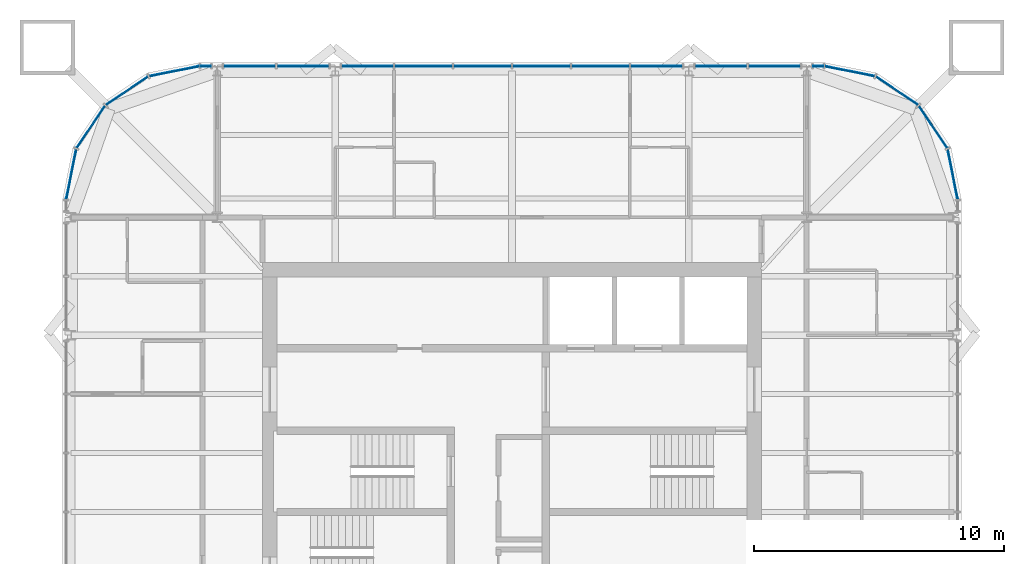
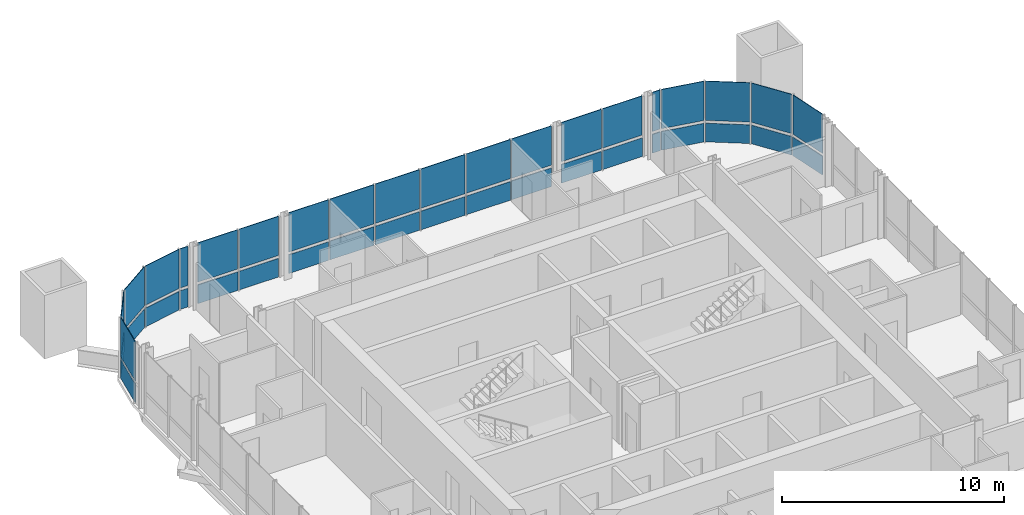
# One storey, part 12 of 17: 40 plates, 7 elements without a shape of their own.
"""IFC4 building model written with IfcOpenShell, lengths in metres."""

import ifcopenshell
import ifcopenshell.guid

model = None  # the IFC model being written
_history = None  # IfcOwnerHistory: only IFC2X3 demands one
_inside = {}  # id of a spatial element -> (the spatial element, [elements in it])
_under = {}  # id of a project, library or spatial element -> (it, [spatial elements below it])
_declared = {}  # id of a project -> (the project, [libraries it declares])
_typed = {}  # id of a type object -> (the type object, [elements of that type])
_made_of = {}  # id of a material, layer set ... -> (it, [elements and type objects made of it])


def new_model(schema):
    """Start an empty IFC model of exactly this schema.

    Asked for "IFC4X3", IfcOpenShell would pick the latest addendum, in which some entities
    have other attributes; the version numbers below select the first issue.
    IFC2X3 requires an IfcOwnerHistory on every rooted entity: one is made here for all.
    """
    global model, _history
    if schema == "IFC4X3":
        model = ifcopenshell.file(schema_version=(4, 3, 0, 0))
    else:
        model = ifcopenshell.file(schema=schema)
    _inside.clear()
    _under.clear()
    _declared.clear()
    _typed.clear()
    _made_of.clear()
    _history = None
    if model.schema == "IFC2X3":
        org = make("IfcOrganization", Name="unknown")
        user = make(
            "IfcPersonAndOrganization",
            ThePerson=make("IfcPerson", FamilyName="unknown"),
            TheOrganization=org,
        )
        app = make(
            "IfcApplication",
            ApplicationDeveloper=org,
            Version="unknown",
            ApplicationFullName="unknown",
            ApplicationIdentifier="unknown",
        )
        _history = make(
            "IfcOwnerHistory",
            OwningUser=user,
            OwningApplication=app,
            ChangeAction="ADDED",
            CreationDate=0,
        )
    return model


def make(cls, **values):
    """One entity of the class cls with the attributes given. An attribute that is None is left unset."""
    return model.create_entity(
        cls, **{name: value for name, value in values.items() if value is not None}
    )


def rooted(cls, **values):
    """An entity with a GlobalId (a new one), such as an element, a storey or a relation."""
    return make(cls, GlobalId=ifcopenshell.guid.new(), OwnerHistory=_history, **values)


def si_unit(unit_type, name, prefix=None):
    """IfcSIUnit, for example si_unit("LENGTHUNIT", "METRE", prefix="MILLI")."""
    return make("IfcSIUnit", UnitType=unit_type, Prefix=prefix, Name=name)


def assignment(units):
    """IfcUnitAssignment: the units of a project."""
    return None if units is None else make("IfcUnitAssignment", Units=units)


def point(xyz):
    """IfcCartesianPoint."""
    return None if xyz is None else make("IfcCartesianPoint", Coordinates=xyz)


def direction(xyz):
    """IfcDirection."""
    return None if xyz is None else make("IfcDirection", DirectionRatios=xyz)


def frame(location, z_axis=None, x_axis=None):
    """IfcAxis2Placement3D, a coordinate frame: its origin and axes. An axis left out is left unset."""
    return make(
        "IfcAxis2Placement3D",
        Location=point(location),
        Axis=direction(z_axis),
        RefDirection=direction(x_axis),
    )


def frame_2d(location, x_axis=None):
    """IfcAxis2Placement2D, a coordinate frame in the plane: its origin and x axis."""
    return make(
        "IfcAxis2Placement2D", Location=point(location), RefDirection=direction(x_axis)
    )


def origin():
    """The frame at (0, 0, 0) with its axes left unset."""
    return frame((0.0, 0.0, 0.0))


def origin_2d():
    """The frame at (0, 0) in the plane with its x axis left unset."""
    return frame_2d((0.0, 0.0))


def place(relative_to, where):
    """IfcLocalPlacement: puts the frame where relative to a parent placement (None: the world)."""
    return make(
        "IfcLocalPlacement", PlacementRelTo=relative_to, RelativePlacement=where
    )


def context(
    kind, dimensions, precision=None, world=None, true_north=None, identifier=None
):
    """IfcGeometricRepresentationContext, for example the 3D "Model" context."""
    return make(
        "IfcGeometricRepresentationContext",
        ContextIdentifier=identifier,
        ContextType=kind,
        CoordinateSpaceDimension=dimensions,
        Precision=precision,
        WorldCoordinateSystem=world,
        TrueNorth=true_north,
    )


def subcontext(parent, identifier, kind, view, scale=None):
    """IfcGeometricRepresentationSubContext, for example "Body" below "Model"."""
    return make(
        "IfcGeometricRepresentationSubContext",
        ContextIdentifier=identifier,
        ContextType=kind,
        ParentContext=parent,
        TargetScale=scale,
        TargetView=view,
    )


def project(units=None, contexts=None):
    """IfcProject with its units and contexts."""
    return rooted(
        "IfcProject",
        Name="project",
        RepresentationContexts=contexts,
        UnitsInContext=assignment(units),
    )


def spatial(cls, under=None, at=None, **own):
    """A site, building, storey or space (cls), placed at a placement, below another one or the project."""
    s = rooted(cls, ObjectPlacement=at, **own)
    if under is not None:
        _under.setdefault(under.id(), (under, []))[1].append(s)
    return s


def profile(cls, at=None, kind="AREA", **sizes):
    """A parametric profile (cls). Its sizes go by their IFC names, for example OverallWidth=200.0."""
    return make(cls, ProfileType=kind, Position=at, **sizes)


def rectangle(**sizes):
    """IfcRectangleProfileDef."""
    return profile("IfcRectangleProfileDef", **sizes)


def extrude(swept, where, along, depth):
    """IfcExtrudedAreaSolid: the profile swept, set in the frame where, extruded along a direction by depth."""
    return make(
        "IfcExtrudedAreaSolid",
        SweptArea=swept,
        Position=where,
        ExtrudedDirection=direction(along),
        Depth=depth,
    )


def shape(context_of_items, identifier, shape_type, items):
    """IfcShapeRepresentation: the items that make up one representation, for example the "Body"."""
    return make(
        "IfcShapeRepresentation",
        ContextOfItems=context_of_items,
        RepresentationIdentifier=identifier,
        RepresentationType=shape_type,
        Items=items,
    )


def material(Name=None, Category=None):
    """IfcMaterial."""
    return make("IfcMaterial", Name=Name, Category=Category)


def layer(
    of_material, thickness, ventilated=None, Name=None, Category=None, Priority=None
):
    """IfcMaterialLayer: one layer of a wall or slab, of a material (None: an air gap)."""
    return make(
        "IfcMaterialLayer",
        Material=of_material,
        LayerThickness=thickness,
        IsVentilated=ventilated,
        Name=Name,
        Category=Category,
        Priority=Priority,
    )


def layer_set(layers, Name=None):
    """IfcMaterialLayerSet."""
    return make("IfcMaterialLayerSet", MaterialLayers=layers, LayerSetName=Name)


def made_of(thing, what):
    """Note that an element or type object is made of a material, layer set ...; save() writes the relation."""
    if what is not None:
        _made_of.setdefault(what.id(), (what, []))[1].append(thing)
    return thing


def type_object(cls, material=None, **own):
    """A type object (cls), such as IfcWallType, which elements share."""
    return made_of(rooted(cls, **own), material)


def element(
    cls,
    number,
    at=None,
    inside=None,
    cuts=None,
    type_object=None,
    material=None,
    context=None,
    identifier="Body",
    shape_type=None,
    held_by="IfcProductDefinitionShape",
    body=None,
    shapes=None,
    **own,
):
    """One element of the class cls, such as IfcWall. Its Tag is "e" and its number.

    at: its placement. inside: the storey or other place that contains it. cuts: it is an
    opening in that element (IfcRelVoidsElement). A single representation is given by context,
    identifier, shape_type and body (its items); several are given by shapes. held_by: the class
    of the entity that holds the representations. save() writes the other relations.
    """
    e = rooted(cls, Tag="e%d" % number, ObjectPlacement=at, **own)
    if body is not None:
        shapes = [shape(context, identifier, shape_type, body)]
    if shapes is not None:
        e.Representation = make(held_by, Representations=shapes)
    if inside is not None:
        _inside.setdefault(inside.id(), (inside, []))[1].append(e)
    if cuts is not None:
        rooted(
            "IfcRelVoidsElement", RelatingBuildingElement=cuts, RelatedOpeningElement=e
        )
    if type_object is not None:
        _typed.setdefault(type_object.id(), (type_object, []))[1].append(e)
    return made_of(e, material)


def aggregate(whole, parts):
    """IfcRelAggregates: a whole, such as a stair, and the parts it consists of."""
    return rooted("IfcRelAggregates", RelatingObject=whole, RelatedObjects=parts)


def save(model, path):
    """Write the relations noted so far, then the file.

    IfcRelAggregates (storeys below a building ...), IfcRelContainedInSpatialStructure (elements
    in a storey), IfcRelDefinesByType, IfcRelAssociatesMaterial and IfcRelDeclares: one each for
    every whole, place, type object, material and project.
    """
    for whole, parts in _under.values():
        aggregate(whole, parts)
    for where, things in _inside.values():
        rooted(
            "IfcRelContainedInSpatialStructure",
            RelatedElements=things,
            RelatingStructure=where,
        )
    for kind, things in _typed.values():
        rooted("IfcRelDefinesByType", RelatedObjects=things, RelatingType=kind)
    for what, things in _made_of.values():
        rooted("IfcRelAssociatesMaterial", RelatedObjects=things, RelatingMaterial=what)
    for by, libraries in _declared.values():
        rooted("IfcRelDeclares", RelatingContext=by, RelatedDefinitions=libraries)
    model.write(path)


model = new_model("IFC4")

# Units and contexts
model_context = context("Model", 3, precision=1e-05, world=origin(), true_north=direction((0.0, 1.0)))
body_context = subcontext(model_context, "Body", "Model", "MODEL_VIEW")
ifc_project = project(units=[si_unit("LENGTHUNIT", "METRE"), si_unit("AREAUNIT", "SQUARE_METRE"), si_unit("VOLUMEUNIT", "CUBIC_METRE"), si_unit("PLANEANGLEUNIT", "RADIAN"), si_unit("MASSUNIT", "GRAM", prefix="KILO")], contexts=[model_context])

# Site, building, storey
site_placement = place(None, origin())
site = spatial("IfcSite", under=ifc_project, at=site_placement, CompositionType="ELEMENT")
building_placement = place(site_placement, origin())
building = spatial("IfcBuilding", under=site, at=building_placement, Name="Turquesa Mirador Hotel Tower", CompositionType="ELEMENT")
storey_placement = place(building_placement, frame((0.0, 0.0, 240.699951171875)))
storey = spatial("IfcBuildingStorey", under=building, at=storey_placement, Name="L65", CompositionType="ELEMENT", Elevation=240.699951171875)

# Curtain wall, plates
ifc_material_1 = material(Name="Aluminium extrusion", Category="aluminium")
curtain_wall_type = type_object("IfcCurtainWallType", Name="CW-4 SUITE FRITTED CURTAIN WALL", PredefinedType="USERDEFINED", material=ifc_material_1)
curtain_wall_1_placement = place(storey_placement, origin())
curtain_wall_1 = element("IfcCurtainWall", 1, at=curtain_wall_1_placement, inside=storey, type_object=curtain_wall_type, Name="CW-4 SUITE FRITTED CURTAIN WALL L65", ObjectType="CURTAIN WALL", PredefinedType="USERDEFINED")
ifc_material_2 = material(Name="Ceramic-printed spandrel glass on an insulated back pan", Category="glass")
ifc_layer_1 = layer(ifc_material_2, 0.050048828125)
ifc_layer_set_1 = layer_set([ifc_layer_1], Name="CW PANEL SPANDREL CERAMIC")
plate_type_1 = type_object("IfcPlateType", Name="CW PANEL SPANDREL CERAMIC", PredefinedType="CURTAIN_PANEL", material=ifc_layer_set_1)
plate_1_placement = place(storey_placement, frame((72.646484375, 58.523681640625, 0.0), z_axis=(0.0, 0.0, 1.0), x_axis=(-0.195090585221, 0.980785228048, 0.0)))
plate_1 = element("IfcPlate", 2, at=plate_1_placement, type_object=plate_type_1, Name="Panel", PredefinedType="CURTAIN_PANEL", context=body_context, shape_type="SweptSolid", body=[
    extrude(rectangle(XDim=2.0224609375, YDim=0.050048828125, at=origin_2d()), origin(), (0.0, 0.0, 1.0), 1.02490234375),
])
plate_2_placement = place(storey_placement, frame((71.86279296875, 60.415283203125, 0.0), z_axis=(0.0, 0.0, 1.0), x_axis=(-0.555570141754, 0.831469673284, 0.0)))
plate_2 = element("IfcPlate", 3, at=plate_2_placement, type_object=plate_type_1, Name="Panel", PredefinedType="CURTAIN_PANEL", context=body_context, shape_type="SweptSolid", body=[
    extrude(rectangle(XDim=2.0224609375, YDim=0.050048828125, at=origin_2d()), origin(), (0.0, 0.0, 1.0), 1.02490234375),
])
plate_3_placement = place(storey_placement, frame((70.415283203125, 61.86279296875, 0.0), z_axis=(0.0, 0.0, 1.0), x_axis=(-0.831469673284, 0.555570141754, 0.0)))
plate_3 = element("IfcPlate", 4, at=plate_3_placement, type_object=plate_type_1, Name="Panel", PredefinedType="CURTAIN_PANEL", context=body_context, shape_type="SweptSolid", body=[
    extrude(rectangle(XDim=2.0224609375, YDim=0.050048828125, at=origin_2d()), origin(), (0.0, 0.0, 1.0), 1.02490234375),
])
plate_4_placement = place(storey_placement, frame((68.523681640625, 62.646484375, 0.0), z_axis=(0.0, 0.0, 1.0), x_axis=(-0.980785228048, 0.195090585221, 0.0)))
plate_4 = element("IfcPlate", 5, at=plate_4_placement, type_object=plate_type_1, Name="Panel", PredefinedType="CURTAIN_PANEL", context=body_context, shape_type="SweptSolid", body=[
    extrude(rectangle(XDim=2.0224609375, YDim=0.050048828125, at=origin_2d()), origin(), (0.0, 0.0, 1.0), 1.02490234375),
])

# Curtain wall, plate
curtain_wall_2_placement = place(storey_placement, origin())
curtain_wall_2 = element("IfcCurtainWall", 6, at=curtain_wall_2_placement, inside=storey, type_object=curtain_wall_type, Name="CW-4 SUITE FRITTED CURTAIN WALL L65", ObjectType="CURTAIN WALL", PredefinedType="USERDEFINED")
plate_5_placement = place(storey_placement, frame((67.266845703125, 62.85009765625, 0.0), z_axis=(0.0, 0.0, 1.0), x_axis=(-1.0, 0.0, 0.0)))
plate_5 = element("IfcPlate", 7, at=plate_5_placement, type_object=plate_type_1, Name="Panel", PredefinedType="CURTAIN_PANEL", context=body_context, shape_type="SweptSolid", body=[
    extrude(rectangle(XDim=0.401123046875, YDim=0.050048828125, at=origin_2d()), origin(), (0.0, 0.0, 1.0), 1.02490234375),
])

# Curtain wall, plates
curtain_wall_3_placement = place(storey_placement, origin())
curtain_wall_3 = element("IfcCurtainWall", 8, at=curtain_wall_3_placement, inside=storey, type_object=curtain_wall_type, Name="CW-4 SUITE FRITTED CURTAIN WALL L65", ObjectType="CURTAIN WALL", PredefinedType="USERDEFINED")
plate_6_placement = place(storey_placement, frame((65.503173828125, 62.85009765625, 0.0), z_axis=(0.0, 0.0, 1.0), x_axis=(-1.0, 0.0, 0.0)))
plate_6 = element("IfcPlate", 9, at=plate_6_placement, type_object=plate_type_1, Name="Panel", PredefinedType="CURTAIN_PANEL", context=body_context, shape_type="SweptSolid", body=[
    extrude(rectangle(XDim=2.06103515625, YDim=0.050048828125, at=origin_2d()), origin(), (0.0, 0.0, 1.0), 1.02490234375),
])
plate_7_placement = place(storey_placement, frame((63.376953125, 62.85009765625, 0.0), z_axis=(0.0, 0.0, 1.0), x_axis=(-1.0, 0.0, 0.0)))
plate_7 = element("IfcPlate", 10, at=plate_7_placement, type_object=plate_type_1, Name="Panel", PredefinedType="CURTAIN_PANEL", context=body_context, shape_type="SweptSolid", body=[
    extrude(rectangle(XDim=2.06103515625, YDim=0.050048828125, at=origin_2d()), origin(), (0.0, 0.0, 1.0), 1.02490234375),
])

curtain_wall_4_placement = place(storey_placement, origin())
curtain_wall_4 = element("IfcCurtainWall", 11, at=curtain_wall_4_placement, inside=storey, type_object=curtain_wall_type, Name="CW-4 SUITE FRITTED CURTAIN WALL L65", ObjectType="CURTAIN WALL", PredefinedType="USERDEFINED")
plate_8_placement = place(storey_placement, frame((60.782958984375, 62.85009765625, 0.0), z_axis=(0.0, 0.0, 1.0), x_axis=(-1.0, 0.0, 0.0)))
plate_8 = element("IfcPlate", 12, at=plate_8_placement, type_object=plate_type_1, Name="Panel", PredefinedType="CURTAIN_PANEL", context=body_context, shape_type="SweptSolid", body=[
    extrude(rectangle(XDim=2.06103515625, YDim=0.050048828125, at=origin_2d()), origin(), (0.0, 0.0, 1.0), 1.02490234375),
])
plate_9_placement = place(storey_placement, frame((58.5400390625, 62.85009765625, 0.0), z_axis=(0.0, 0.0, 1.0), x_axis=(-1.0, 0.0, 0.0)))
plate_9 = element("IfcPlate", 13, at=plate_9_placement, type_object=plate_type_1, Name="Panel", PredefinedType="CURTAIN_PANEL", context=body_context, shape_type="SweptSolid", body=[
    extrude(rectangle(XDim=2.294921875, YDim=0.050048828125, at=origin_2d()), origin(), (0.0, 0.0, 1.0), 1.02490234375),
])
plate_10_placement = place(storey_placement, frame((56.179931640625, 62.85009765625, 0.0), z_axis=(0.0, 0.0, 1.0), x_axis=(-1.0, 0.0, 0.0)))
plate_10 = element("IfcPlate", 14, at=plate_10_placement, type_object=plate_type_1, Name="Panel", PredefinedType="CURTAIN_PANEL", context=body_context, shape_type="SweptSolid", body=[
    extrude(rectangle(XDim=2.294921875, YDim=0.050048828125, at=origin_2d()), origin(), (0.0, 0.0, 1.0), 1.02490234375),
])
plate_11_placement = place(storey_placement, frame((53.820068359375, 62.85009765625, 0.0), z_axis=(0.0, 0.0, 1.0), x_axis=(-1.0, 0.0, 0.0)))
plate_11 = element("IfcPlate", 15, at=plate_11_placement, type_object=plate_type_1, Name="Panel", PredefinedType="CURTAIN_PANEL", context=body_context, shape_type="SweptSolid", body=[
    extrude(rectangle(XDim=2.294921875, YDim=0.050048828125, at=origin_2d()), origin(), (0.0, 0.0, 1.0), 1.02490234375),
])
plate_12_placement = place(storey_placement, frame((51.4599609375, 62.85009765625, 0.0), z_axis=(0.0, 0.0, 1.0), x_axis=(-1.0, 0.0, 0.0)))
plate_12 = element("IfcPlate", 16, at=plate_12_placement, type_object=plate_type_1, Name="Panel", PredefinedType="CURTAIN_PANEL", context=body_context, shape_type="SweptSolid", body=[
    extrude(rectangle(XDim=2.294921875, YDim=0.050048828125, at=origin_2d()), origin(), (0.0, 0.0, 1.0), 1.02490234375),
])
plate_13_placement = place(storey_placement, frame((49.217041015625, 62.85009765625, 0.0), z_axis=(0.0, 0.0, 1.0), x_axis=(-1.0, 0.0, 0.0)))
plate_13 = element("IfcPlate", 17, at=plate_13_placement, type_object=plate_type_1, Name="Panel", PredefinedType="CURTAIN_PANEL", context=body_context, shape_type="SweptSolid", body=[
    extrude(rectangle(XDim=2.06103515625, YDim=0.050048828125, at=origin_2d()), origin(), (0.0, 0.0, 1.0), 1.02490234375),
])

curtain_wall_5_placement = place(storey_placement, origin())
curtain_wall_5 = element("IfcCurtainWall", 18, at=curtain_wall_5_placement, inside=storey, type_object=curtain_wall_type, Name="CW-4 SUITE FRITTED CURTAIN WALL L65", ObjectType="CURTAIN WALL", PredefinedType="USERDEFINED")
plate_14_placement = place(storey_placement, frame((46.623046875, 62.85009765625, 0.0), z_axis=(0.0, 0.0, 1.0), x_axis=(-1.0, 0.0, 0.0)))
plate_14 = element("IfcPlate", 19, at=plate_14_placement, type_object=plate_type_1, Name="Panel", PredefinedType="CURTAIN_PANEL", context=body_context, shape_type="SweptSolid", body=[
    extrude(rectangle(XDim=2.06103515625, YDim=0.050048828125, at=origin_2d()), origin(), (0.0, 0.0, 1.0), 1.02490234375),
])
plate_15_placement = place(storey_placement, frame((44.496826171875, 62.85009765625, 0.0), z_axis=(0.0, 0.0, 1.0), x_axis=(-1.0, 0.0, 0.0)))
plate_15 = element("IfcPlate", 20, at=plate_15_placement, type_object=plate_type_1, Name="Panel", PredefinedType="CURTAIN_PANEL", context=body_context, shape_type="SweptSolid", body=[
    extrude(rectangle(XDim=2.06103515625, YDim=0.050048828125, at=origin_2d()), origin(), (0.0, 0.0, 1.0), 1.02490234375),
])

# Curtain wall, plate
curtain_wall_6_placement = place(storey_placement, origin())
curtain_wall_6 = element("IfcCurtainWall", 21, at=curtain_wall_6_placement, inside=storey, type_object=curtain_wall_type, Name="CW-4 SUITE FRITTED CURTAIN WALL L65", ObjectType="CURTAIN WALL", PredefinedType="USERDEFINED")
plate_16_placement = place(storey_placement, frame((42.733154296875, 62.85009765625, 0.0), z_axis=(0.0, 0.0, 1.0), x_axis=(-1.0, 0.0, 0.0)))
plate_16 = element("IfcPlate", 22, at=plate_16_placement, type_object=plate_type_1, Name="Panel", PredefinedType="CURTAIN_PANEL", context=body_context, shape_type="SweptSolid", body=[
    extrude(rectangle(XDim=0.401123046875, YDim=0.050048828125, at=origin_2d()), origin(), (0.0, 0.0, 1.0), 1.02490234375),
])

# Curtain wall, plates
curtain_wall_7_placement = place(storey_placement, origin())
curtain_wall_7 = element("IfcCurtainWall", 23, at=curtain_wall_7_placement, inside=storey, type_object=curtain_wall_type, Name="CW-4 SUITE FRITTED CURTAIN WALL L65", ObjectType="CURTAIN WALL", PredefinedType="USERDEFINED")
plate_17_placement = place(storey_placement, frame((41.476318359375, 62.646484375, 0.0), z_axis=(0.0, 0.0, 1.0), x_axis=(-0.980785228048, -0.195090585221, 0.0)))
plate_17 = element("IfcPlate", 24, at=plate_17_placement, type_object=plate_type_1, Name="Panel", PredefinedType="CURTAIN_PANEL", context=body_context, shape_type="SweptSolid", body=[
    extrude(rectangle(XDim=2.0224609375, YDim=0.050048828125, at=origin_2d()), origin(), (0.0, 0.0, 1.0), 1.02490234375),
])
plate_18_placement = place(storey_placement, frame((39.584716796875, 61.86279296875, 0.0), z_axis=(0.0, 0.0, 1.0), x_axis=(-0.831469673284, -0.555570141754, 0.0)))
plate_18 = element("IfcPlate", 25, at=plate_18_placement, type_object=plate_type_1, Name="Panel", PredefinedType="CURTAIN_PANEL", context=body_context, shape_type="SweptSolid", body=[
    extrude(rectangle(XDim=2.0224609375, YDim=0.050048828125, at=origin_2d()), origin(), (0.0, 0.0, 1.0), 1.02490234375),
])
plate_19_placement = place(storey_placement, frame((38.13720703125, 60.415283203125, 0.0), z_axis=(0.0, 0.0, 1.0), x_axis=(-0.555570141754, -0.831469673284, 0.0)))
plate_19 = element("IfcPlate", 26, at=plate_19_placement, type_object=plate_type_1, Name="Panel", PredefinedType="CURTAIN_PANEL", context=body_context, shape_type="SweptSolid", body=[
    extrude(rectangle(XDim=2.0224609375, YDim=0.050048828125, at=origin_2d()), origin(), (0.0, 0.0, 1.0), 1.02490234375),
])
plate_20_placement = place(storey_placement, frame((37.353515625, 58.523681640625, 0.0), z_axis=(0.0, 0.0, 1.0), x_axis=(-0.195090585221, -0.980785228048, 0.0)))
plate_20 = element("IfcPlate", 27, at=plate_20_placement, type_object=plate_type_1, Name="Panel", PredefinedType="CURTAIN_PANEL", context=body_context, shape_type="SweptSolid", body=[
    extrude(rectangle(XDim=2.0224609375, YDim=0.050048828125, at=origin_2d()), origin(), (0.0, 0.0, 1.0), 1.02490234375),
])

# Plate
ifc_material_3 = material(Name="Ceramic-fritted laminated glass", Category="glass")
ifc_layer_2 = layer(ifc_material_3, 0.031982421875)
ifc_layer_set_2 = layer_set([ifc_layer_2], Name="CW PANEL VISION FRITTED")
plate_type_2 = type_object("IfcPlateType", Name="CW PANEL VISION FRITTED", PredefinedType="CURTAIN_PANEL", material=ifc_layer_set_2)
plate_21_placement = place(storey_placement, frame((72.646484375, 58.523681640625, 1.1748046875), z_axis=(0.0, 0.0, 1.0), x_axis=(-0.195090585221, 0.980785228048, 0.0)))
plate_21 = element("IfcPlate", 28, at=plate_21_placement, type_object=plate_type_2, Name="Panel", PredefinedType="CURTAIN_PANEL", context=body_context, shape_type="SweptSolid", body=[
    extrude(rectangle(XDim=2.0224609375, YDim=0.031982421875, at=origin_2d()), origin(), (0.0, 0.0, 1.0), 2.155029296875),
])

plate_22_placement = place(storey_placement, frame((71.86279296875, 60.415283203125, 1.1748046875), z_axis=(0.0, 0.0, 1.0), x_axis=(-0.555570141754, 0.831469673284, 0.0)))
plate_22 = element("IfcPlate", 29, at=plate_22_placement, type_object=plate_type_2, Name="Panel", PredefinedType="CURTAIN_PANEL", context=body_context, shape_type="SweptSolid", body=[
    extrude(rectangle(XDim=2.0224609375, YDim=0.031982421875, at=origin_2d()), origin(), (0.0, 0.0, 1.0), 2.155029296875),
])

plate_23_placement = place(storey_placement, frame((70.415283203125, 61.86279296875, 1.1748046875), z_axis=(0.0, 0.0, 1.0), x_axis=(-0.831469673284, 0.555570141754, 0.0)))
plate_23 = element("IfcPlate", 30, at=plate_23_placement, type_object=plate_type_2, Name="Panel", PredefinedType="CURTAIN_PANEL", context=body_context, shape_type="SweptSolid", body=[
    extrude(rectangle(XDim=2.0224609375, YDim=0.031982421875, at=origin_2d()), origin(), (0.0, 0.0, 1.0), 2.155029296875),
])

plate_24_placement = place(storey_placement, frame((68.523681640625, 62.646484375, 1.1748046875), z_axis=(0.0, 0.0, 1.0), x_axis=(-0.980785228048, 0.195090585221, 0.0)))
plate_24 = element("IfcPlate", 31, at=plate_24_placement, type_object=plate_type_2, Name="Panel", PredefinedType="CURTAIN_PANEL", context=body_context, shape_type="SweptSolid", body=[
    extrude(rectangle(XDim=2.0224609375, YDim=0.031982421875, at=origin_2d()), origin(), (0.0, 0.0, 1.0), 2.155029296875),
])

aggregate(curtain_wall_1, [plate_1, plate_21, plate_2, plate_22, plate_3, plate_23, plate_4, plate_24])

plate_25_placement = place(storey_placement, frame((67.266845703125, 62.85009765625, 1.1748046875), z_axis=(0.0, 0.0, 1.0), x_axis=(-1.0, 0.0, 0.0)))
plate_25 = element("IfcPlate", 32, at=plate_25_placement, type_object=plate_type_2, Name="Panel", PredefinedType="CURTAIN_PANEL", context=body_context, shape_type="SweptSolid", body=[
    extrude(rectangle(XDim=0.401123046875, YDim=0.031982421875, at=origin_2d()), origin(), (0.0, 0.0, 1.0), 2.155029296875),
])

aggregate(curtain_wall_2, [plate_5, plate_25])

plate_26_placement = place(storey_placement, frame((65.503173828125, 62.85009765625, 1.1748046875), z_axis=(0.0, 0.0, 1.0), x_axis=(-1.0, 0.0, 0.0)))
plate_26 = element("IfcPlate", 33, at=plate_26_placement, type_object=plate_type_2, Name="Panel", PredefinedType="CURTAIN_PANEL", context=body_context, shape_type="SweptSolid", body=[
    extrude(rectangle(XDim=2.06103515625, YDim=0.031982421875, at=origin_2d()), origin(), (0.0, 0.0, 1.0), 2.155029296875),
])

plate_27_placement = place(storey_placement, frame((63.376953125, 62.85009765625, 1.1748046875), z_axis=(0.0, 0.0, 1.0), x_axis=(-1.0, 0.0, 0.0)))
plate_27 = element("IfcPlate", 34, at=plate_27_placement, type_object=plate_type_2, Name="Panel", PredefinedType="CURTAIN_PANEL", context=body_context, shape_type="SweptSolid", body=[
    extrude(rectangle(XDim=2.06103515625, YDim=0.031982421875, at=origin_2d()), origin(), (0.0, 0.0, 1.0), 2.155029296875),
])

aggregate(curtain_wall_3, [plate_6, plate_26, plate_7, plate_27])

plate_28_placement = place(storey_placement, frame((60.782958984375, 62.85009765625, 1.1748046875), z_axis=(0.0, 0.0, 1.0), x_axis=(-1.0, 0.0, 0.0)))
plate_28 = element("IfcPlate", 35, at=plate_28_placement, type_object=plate_type_2, Name="Panel", PredefinedType="CURTAIN_PANEL", context=body_context, shape_type="SweptSolid", body=[
    extrude(rectangle(XDim=2.06103515625, YDim=0.031982421875, at=origin_2d()), origin(), (0.0, 0.0, 1.0), 2.155029296875),
])

plate_29_placement = place(storey_placement, frame((58.5400390625, 62.85009765625, 1.1748046875), z_axis=(0.0, 0.0, 1.0), x_axis=(-1.0, 0.0, 0.0)))
plate_29 = element("IfcPlate", 36, at=plate_29_placement, type_object=plate_type_2, Name="Panel", PredefinedType="CURTAIN_PANEL", context=body_context, shape_type="SweptSolid", body=[
    extrude(rectangle(XDim=2.294921875, YDim=0.031982421875, at=origin_2d()), origin(), (0.0, 0.0, 1.0), 2.155029296875),
])

plate_30_placement = place(storey_placement, frame((56.179931640625, 62.85009765625, 1.1748046875), z_axis=(0.0, 0.0, 1.0), x_axis=(-1.0, 0.0, 0.0)))
plate_30 = element("IfcPlate", 37, at=plate_30_placement, type_object=plate_type_2, Name="Panel", PredefinedType="CURTAIN_PANEL", context=body_context, shape_type="SweptSolid", body=[
    extrude(rectangle(XDim=2.294921875, YDim=0.031982421875, at=origin_2d()), origin(), (0.0, 0.0, 1.0), 2.155029296875),
])

plate_31_placement = place(storey_placement, frame((53.820068359375, 62.85009765625, 1.1748046875), z_axis=(0.0, 0.0, 1.0), x_axis=(-1.0, 0.0, 0.0)))
plate_31 = element("IfcPlate", 38, at=plate_31_placement, type_object=plate_type_2, Name="Panel", PredefinedType="CURTAIN_PANEL", context=body_context, shape_type="SweptSolid", body=[
    extrude(rectangle(XDim=2.294921875, YDim=0.031982421875, at=origin_2d()), origin(), (0.0, 0.0, 1.0), 2.155029296875),
])

plate_32_placement = place(storey_placement, frame((51.4599609375, 62.85009765625, 1.1748046875), z_axis=(0.0, 0.0, 1.0), x_axis=(-1.0, 0.0, 0.0)))
plate_32 = element("IfcPlate", 39, at=plate_32_placement, type_object=plate_type_2, Name="Panel", PredefinedType="CURTAIN_PANEL", context=body_context, shape_type="SweptSolid", body=[
    extrude(rectangle(XDim=2.294921875, YDim=0.031982421875, at=origin_2d()), origin(), (0.0, 0.0, 1.0), 2.155029296875),
])

plate_33_placement = place(storey_placement, frame((49.217041015625, 62.85009765625, 1.1748046875), z_axis=(0.0, 0.0, 1.0), x_axis=(-1.0, 0.0, 0.0)))
plate_33 = element("IfcPlate", 40, at=plate_33_placement, type_object=plate_type_2, Name="Panel", PredefinedType="CURTAIN_PANEL", context=body_context, shape_type="SweptSolid", body=[
    extrude(rectangle(XDim=2.06103515625, YDim=0.031982421875, at=origin_2d()), origin(), (0.0, 0.0, 1.0), 2.155029296875),
])

aggregate(curtain_wall_4, [plate_8, plate_28, plate_9, plate_29, plate_10, plate_30, plate_11, plate_31, plate_12, plate_32, plate_13, plate_33])

plate_34_placement = place(storey_placement, frame((46.623046875, 62.85009765625, 1.1748046875), z_axis=(0.0, 0.0, 1.0), x_axis=(-1.0, 0.0, 0.0)))
plate_34 = element("IfcPlate", 41, at=plate_34_placement, type_object=plate_type_2, Name="Panel", PredefinedType="CURTAIN_PANEL", context=body_context, shape_type="SweptSolid", body=[
    extrude(rectangle(XDim=2.06103515625, YDim=0.031982421875, at=origin_2d()), origin(), (0.0, 0.0, 1.0), 2.155029296875),
])

plate_35_placement = place(storey_placement, frame((44.496826171875, 62.85009765625, 1.1748046875), z_axis=(0.0, 0.0, 1.0), x_axis=(-1.0, 0.0, 0.0)))
plate_35 = element("IfcPlate", 42, at=plate_35_placement, type_object=plate_type_2, Name="Panel", PredefinedType="CURTAIN_PANEL", context=body_context, shape_type="SweptSolid", body=[
    extrude(rectangle(XDim=2.06103515625, YDim=0.031982421875, at=origin_2d()), origin(), (0.0, 0.0, 1.0), 2.155029296875),
])

aggregate(curtain_wall_5, [plate_14, plate_34, plate_15, plate_35])

plate_36_placement = place(storey_placement, frame((42.733154296875, 62.85009765625, 1.1748046875), z_axis=(0.0, 0.0, 1.0), x_axis=(-1.0, 0.0, 0.0)))
plate_36 = element("IfcPlate", 43, at=plate_36_placement, type_object=plate_type_2, Name="Panel", PredefinedType="CURTAIN_PANEL", context=body_context, shape_type="SweptSolid", body=[
    extrude(rectangle(XDim=0.401123046875, YDim=0.031982421875, at=origin_2d()), origin(), (0.0, 0.0, 1.0), 2.155029296875),
])

aggregate(curtain_wall_6, [plate_16, plate_36])

plate_37_placement = place(storey_placement, frame((41.476318359375, 62.646484375, 1.1748046875), z_axis=(0.0, 0.0, 1.0), x_axis=(-0.980785228048, -0.195090585221, 0.0)))
plate_37 = element("IfcPlate", 44, at=plate_37_placement, type_object=plate_type_2, Name="Panel", PredefinedType="CURTAIN_PANEL", context=body_context, shape_type="SweptSolid", body=[
    extrude(rectangle(XDim=2.0224609375, YDim=0.031982421875, at=origin_2d()), origin(), (0.0, 0.0, 1.0), 2.155029296875),
])

plate_38_placement = place(storey_placement, frame((39.584716796875, 61.86279296875, 1.1748046875), z_axis=(0.0, 0.0, 1.0), x_axis=(-0.831469673284, -0.555570141754, 0.0)))
plate_38 = element("IfcPlate", 45, at=plate_38_placement, type_object=plate_type_2, Name="Panel", PredefinedType="CURTAIN_PANEL", context=body_context, shape_type="SweptSolid", body=[
    extrude(rectangle(XDim=2.0224609375, YDim=0.031982421875, at=origin_2d()), origin(), (0.0, 0.0, 1.0), 2.155029296875),
])

plate_39_placement = place(storey_placement, frame((38.13720703125, 60.415283203125, 1.1748046875), z_axis=(0.0, 0.0, 1.0), x_axis=(-0.555570141754, -0.831469673284, 0.0)))
plate_39 = element("IfcPlate", 46, at=plate_39_placement, type_object=plate_type_2, Name="Panel", PredefinedType="CURTAIN_PANEL", context=body_context, shape_type="SweptSolid", body=[
    extrude(rectangle(XDim=2.0224609375, YDim=0.031982421875, at=origin_2d()), origin(), (0.0, 0.0, 1.0), 2.155029296875),
])

plate_40_placement = place(storey_placement, frame((37.353515625, 58.523681640625, 1.1748046875), z_axis=(0.0, 0.0, 1.0), x_axis=(-0.195090585221, -0.980785228048, 0.0)))
plate_40 = element("IfcPlate", 47, at=plate_40_placement, type_object=plate_type_2, Name="Panel", PredefinedType="CURTAIN_PANEL", context=body_context, shape_type="SweptSolid", body=[
    extrude(rectangle(XDim=2.0224609375, YDim=0.031982421875, at=origin_2d()), origin(), (0.0, 0.0, 1.0), 2.155029296875),
])

aggregate(curtain_wall_7, [plate_17, plate_37, plate_18, plate_38, plate_19, plate_39, plate_20, plate_40])

save(model, "model.ifc")
